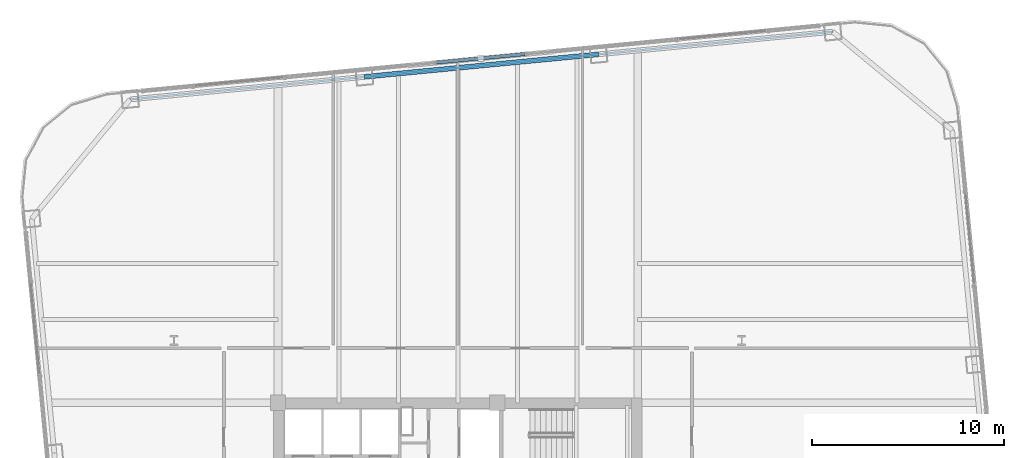
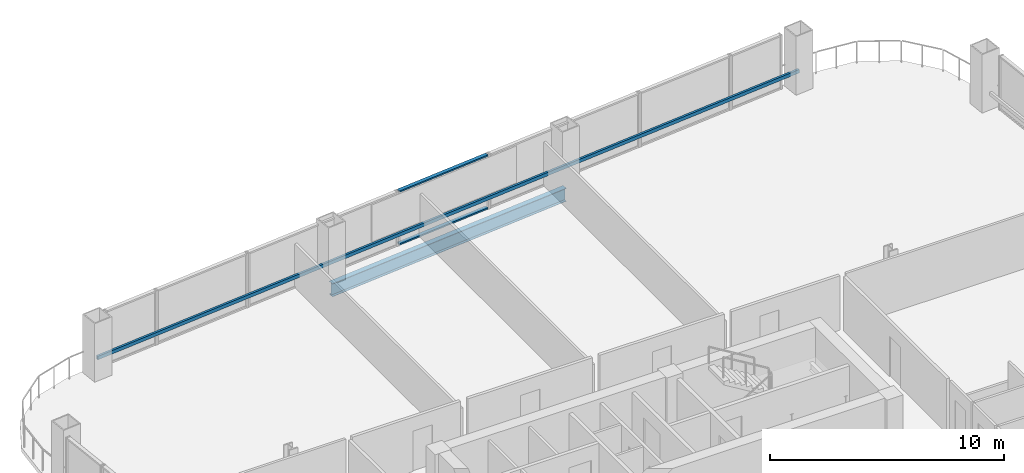
# One storey, part 21 of 32: 3 members, 1 beam, 1 element without a shape of its own.
"""IFC4 building model written with IfcOpenShell, lengths in metres."""

from ifc_helpers import new_model, si_unit, direction, frame, origin, origin_2d, place, context, subcontext, project, spatial, hollow_rectangle, i_section, extrude, material, layer, layer_set, material_profile, profile_set, type_object, element, aggregate, save


model = new_model("IFC4")

# Units and contexts
model_context = context("Model", 3, precision=1e-05, world=origin(), true_north=direction((0.0, 1.0)))
body_context = subcontext(model_context, "Body", "Model", "MODEL_VIEW")
ifc_project = project(units=[si_unit("LENGTHUNIT", "METRE"), si_unit("AREAUNIT", "SQUARE_METRE"), si_unit("VOLUMEUNIT", "CUBIC_METRE"), si_unit("PLANEANGLEUNIT", "RADIAN"), si_unit("MASSUNIT", "GRAM", prefix="KILO")], contexts=[model_context])

# Site, building, storey
site_placement = place(None, origin())
site = spatial("IfcSite", under=ifc_project, at=site_placement, CompositionType="ELEMENT")
building_placement = place(site_placement, origin())
building = spatial("IfcBuilding", under=site, at=building_placement, Name="Qhalaya Broadcast Tower", CompositionType="ELEMENT")
storey_placement = place(building_placement, frame((0.0, 0.0, 87.75)))
storey = spatial("IfcBuildingStorey", under=building, at=storey_placement, Name="L25", CompositionType="ELEMENT", Elevation=87.75)

# Member
ifc_material_1 = material(Name="Fired Architectural Terracotta", Category="masonry")
ifc_material_profile_1 = material_profile(ifc_material_1, hollow_rectangle(XDim=0.110107421875, YDim=0.179931640625, WallThickness=0.01806640625, at=origin_2d()), Name="TB-BAG 110x180x18")
ifc_profile_set_1 = profile_set([ifc_material_profile_1], Name="Fired Architectural Terracotta")
member_type_1 = type_object("IfcMemberType", Name="Fired Terracotta Facade Baguette Member TB1", PredefinedType="USERDEFINED", material=ifc_profile_set_1)
member_1_placement = place(storey_placement, frame((19.54541015625, 29.29248046875, 0.84912109375), z_axis=(-0.995396269574, -0.095845013007, 0.0), x_axis=(0.095845013007, -0.995396269574, 0.0)))
element("IfcMember", 1, at=member_1_placement, inside=storey, type_object=member_type_1, Name="L25 Terracotta Baguette Feature Rail N", ObjectType="BAGUETTE", PredefinedType="USERDEFINED", context=body_context, shape_type="SweptSolid", body=[
    extrude(hollow_rectangle(XDim=0.110107421875, YDim=0.179931640625, WallThickness=0.01806640625, at=origin_2d()), origin(), (0.0, 0.0, 1.0), 36.800048828125),
])

# Beam
ifc_material_2 = material(Name="Structural Steel ASTM A992 Grade 50", Category="steel")
ifc_material_profile_2 = material_profile(ifc_material_2, i_section(OverallWidth=0.25390625, OverallDepth=0.68310546875, WebThickness=0.012451171875, FlangeThickness=0.01904296875, at=origin_2d()), Name="W27X94")
ifc_profile_set_2 = profile_set([ifc_material_profile_2], Name="Structural Steel ASTM A992 Grade 50")
beam_type = type_object("IfcBeamType", Name="Perimeter Ring Spandrel Beam SP1", PredefinedType="SPANDREL", material=ifc_profile_set_2)
beam_placement = place(storey_placement, frame((7.335205078125, 28.116943359375, -0.5615234375), z_axis=(-0.99539563662, -0.095851586307, 0.0), x_axis=(0.095851586307, -0.99539563662, 0.0)))
element("IfcBeam", 2, at=beam_placement, inside=storey, type_object=beam_type, Name="L25 SP1 L25-SPR-10", PredefinedType="SPANDREL", context=body_context, shape_type="SweptSolid", body=[
    extrude(i_section(OverallWidth=0.25390625, OverallDepth=0.68310546875, WebThickness=0.012451171875, FlangeThickness=0.01904296875, at=origin_2d()), origin(), (0.0, 0.0, 1.0), 12.2666015625),
])

# Curtain wall, members
ifc_material_3 = material(Name="Solar-Control Low-E Triple Glazing", Category="glass")
ifc_layer = layer(ifc_material_3, 0.219970703125, Name="Solar-Control Low-E Triple Glazing")
ifc_layer_set = layer_set([ifc_layer], Name="Solar-Control Low-E Triple Glazing")
curtain_wall_type = type_object("IfcCurtainWallType", Name="Even-Block 4-Storey Double-Module Curtain Wall CW-03", PredefinedType="NOTDEFINED", material=ifc_layer_set)
curtain_wall_placement = place(storey_placement, origin())
curtain_wall = element("IfcCurtainWall", 3, at=curtain_wall_placement, inside=storey, type_object=curtain_wall_type, Name="L25 Unitised Curtain Wall L25-CW-N4", PredefinedType="NOTDEFINED")
ifc_material_4 = material(Name="Anodised Aluminium 6063-T6", Category="aluminium")
ifc_material_profile_3 = material_profile(ifc_material_4, hollow_rectangle(XDim=0.074951171875, YDim=0.179931640625, WallThickness=0.00390625, at=origin_2d()), Name="ALU-TRN 75x180x4")
ifc_profile_set_3 = profile_set([ifc_material_profile_3], Name="Anodised Aluminium 6063-T6")
member_type_2 = type_object("IfcMemberType", Name="Unitised Curtain-Wall Transom T01", PredefinedType="USERDEFINED", material=ifc_profile_set_3)
member_2_placement = place(storey_placement, frame((3.5009765625, 28.12939453125, 0.03759765625), z_axis=(-0.995395993874, -0.095847876242, 0.0), x_axis=(0.0, 0.0, 1.0)))
member_2 = element("IfcMember", 4, at=member_2_placement, type_object=member_type_2, Name="CW-03 transom 1.1", ObjectType="TRANSOM", PredefinedType="USERDEFINED", context=body_context, shape_type="SweptSolid", body=[
    extrude(hollow_rectangle(XDim=0.074951171875, YDim=0.179931640625, WallThickness=0.00390625, at=origin_2d()), origin(), (0.0, 0.0, 1.0), 4.6357421875),
])
member_3_placement = place(storey_placement, frame((3.5009765625, 28.12939453125, 2.79248046875), z_axis=(-0.995395993874, -0.095847876242, 0.0), x_axis=(0.0, 0.0, 1.0)))
member_3 = element("IfcMember", 5, at=member_3_placement, type_object=member_type_2, Name="CW-03 transom 1.2", ObjectType="TRANSOM", PredefinedType="USERDEFINED", context=body_context, shape_type="SweptSolid", body=[
    extrude(hollow_rectangle(XDim=0.074951171875, YDim=0.179931640625, WallThickness=0.00390625, at=origin_2d()), origin(), (0.0, 0.0, 1.0), 4.6357421875),
])
aggregate(curtain_wall, [member_2, member_3])

save(model, "model.ifc")
